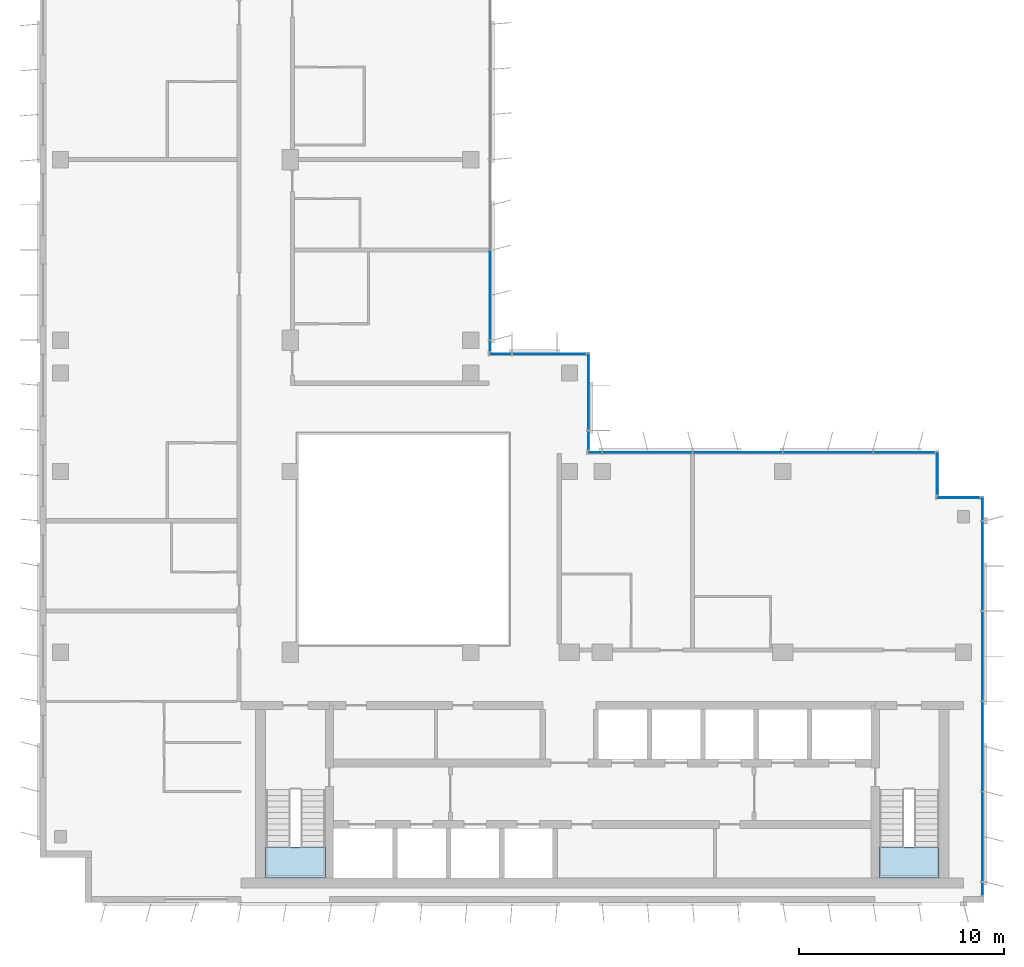
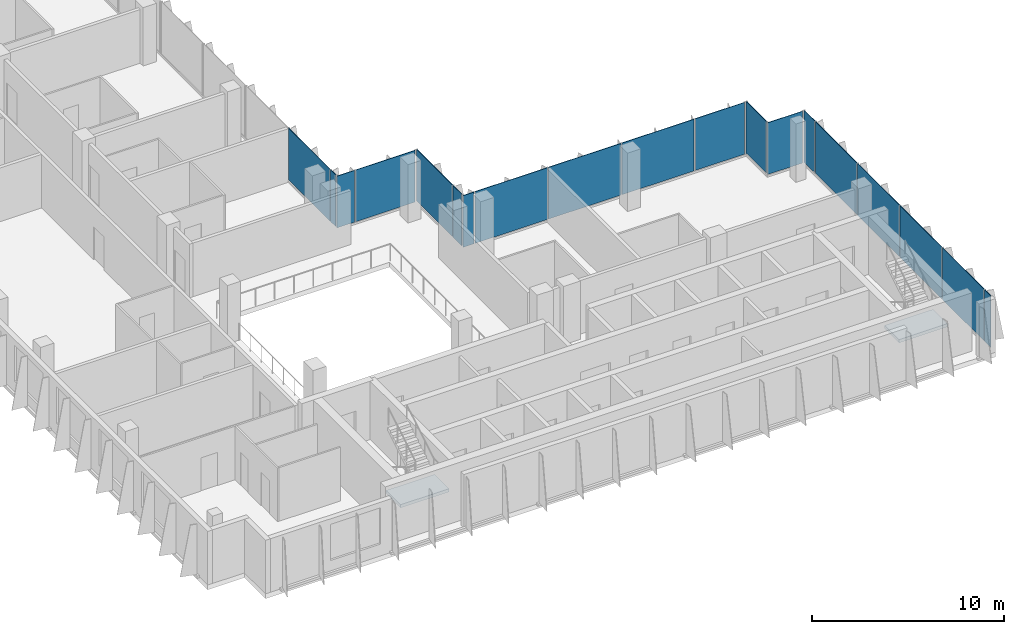
# One storey, part 7 of 15: 19 plates, 2 slabs, 9 elements without a shape of their own.
"""IFC4 building model written with IfcOpenShell, lengths in metres."""

from ifc_helpers import new_model, si_unit, direction, frame, origin, origin_2d, place, context, subcontext, project, spatial, polyline, rectangle, outline, extrude, source, transform, mapped, material, layer, layer_set, type_object, element, aggregate, save


model = new_model("IFC4")

# Units and contexts
model_context = context("Model", 3, precision=1e-05, world=origin(), true_north=direction((0.0, 1.0)))
body_context = subcontext(model_context, "Body", "Model", "MODEL_VIEW")
ifc_project = project(units=[si_unit("LENGTHUNIT", "METRE"), si_unit("AREAUNIT", "SQUARE_METRE"), si_unit("VOLUMEUNIT", "CUBIC_METRE"), si_unit("PLANEANGLEUNIT", "RADIAN"), si_unit("MASSUNIT", "GRAM", prefix="KILO")], contexts=[model_context])

# Site, building, storey
site_placement = place(None, origin())
site = spatial("IfcSite", under=ifc_project, at=site_placement, CompositionType="ELEMENT")
building_placement = place(site_placement, origin())
building = spatial("IfcBuilding", under=site, at=building_placement, Name="Kemantara Hotel Tower", CompositionType="ELEMENT")
storey_placement = place(building_placement, frame((0.0, 0.0, 233.89990234375)))
storey = spatial("IfcBuildingStorey", under=building, at=storey_placement, Name="L58", CompositionType="ELEMENT", Elevation=233.89990234375)

# Stair, slab
ifc_material_1 = material(Name="Concrete fc 40 MPa", Category="concrete")
stair_type = type_object("IfcStairType", Name="Stair 1200 wide 22 risers of 168 x 280 mm", PredefinedType="HALF_TURN_STAIR", material=ifc_material_1)
stair_1_placement = place(storey_placement, origin())
stair_1 = element("IfcStair", 1, at=stair_1_placement, inside=storey, type_object=stair_type, Name="L58 Exit stair ST1", PredefinedType="HALF_TURN_STAIR")
ifc_layer_1 = layer(ifc_material_1, 0.199951171875)
ifc_layer_set_1 = layer_set([ifc_layer_1], Name="Concrete fc 40 MPa")
slab_type = type_object("IfcSlabType", Name="Stair landing 200 mm", PredefinedType="LANDING", material=ifc_layer_set_1)
slab_1_placement = place(storey_placement, frame((0.0, 0.0, 1.650146484375)))
slab_1 = element("IfcSlab", 2, at=slab_1_placement, type_object=slab_type, Name="ST1 landing 1", PredefinedType="LANDING", context=body_context, shape_type="SweptSolid", body=[
    extrude(outline(polyline([(11.0, 2.699951171875), (11.0, 1.199951171875), (13.89990234375, 1.199951171875), (13.89990234375, 2.699951171875), (11.0, 2.699951171875)])), origin(), (0.0, 0.0, 1.0), 0.199951171875),
])
aggregate(stair_1, [slab_1])

stair_2_placement = place(storey_placement, origin())
stair_2 = element("IfcStair", 3, at=stair_2_placement, inside=storey, type_object=stair_type, Name="L58 Exit stair ST2", PredefinedType="HALF_TURN_STAIR")
slab_2_placement = place(storey_placement, frame((0.0, 0.0, 1.650146484375)))
slab_2 = element("IfcSlab", 4, at=slab_2_placement, type_object=slab_type, Name="ST2 landing 1", PredefinedType="LANDING", context=body_context, shape_type="SweptSolid", body=[
    extrude(outline(polyline([(40.89990234375, 2.699951171875), (40.89990234375, 1.199951171875), (43.800048828125, 1.199951171875), (43.800048828125, 2.699951171875), (40.89990234375, 2.699951171875)])), origin(), (0.0, 0.0, 1.0), 0.199951171875),
])
aggregate(stair_2, [slab_2])

# Curtain wall, plates
ifc_material_2 = material(Name="Low-E tinted double insulated glass 36 mm", Category="glass")
curtain_wall_type = type_object("IfcCurtainWallType", Name="TOWER CURTAIN WALL, FRONT FACES", PredefinedType="USERDEFINED", material=ifc_material_2)
curtain_wall_1_placement = place(storey_placement, origin())
curtain_wall_1 = element("IfcCurtainWall", 5, at=curtain_wall_1_placement, inside=storey, type_object=curtain_wall_type, Name="CW4 L58 T4-R09-1", ObjectType="TOWER CURTAIN WALL, FRONT FACES", PredefinedType="USERDEFINED")
ifc_layer_2 = layer(ifc_material_2, 0.035888671875)
ifc_layer_set_2 = layer_set([ifc_layer_2], Name="Low-E tinted double insulated glass 36 mm")
plate_type = type_object("IfcPlateType", Name="TOWER CURTAIN WALL, FRONT FACES PANEL", PredefinedType="CURTAIN_PANEL", material=ifc_layer_set_2)
shared_shape_1 = source(origin(), body_context, "Body", "SweptSolid", [
    extrude(rectangle(XDim=4.340087890625, YDim=0.035888671875, at=origin_2d()), origin(), (0.0, 0.0, 1.0), 3.280029296875),
])
plate_1_placement = place(storey_placement, frame((45.925048828125, 3.199951171875, 0.1201171875), z_axis=(0.0, 0.0, 1.0), x_axis=(0.0, 1.0, 0.0)))
plate_1 = element("IfcPlate", 6, at=plate_1_placement, type_object=plate_type, Name="CW4 glass panel T4-R09-1.2", PredefinedType="CURTAIN_PANEL", context=body_context, shape_type="MappedRepresentation", body=[
    mapped(shared_shape_1, transform((0.0, 0.0, 0.0))),
])
plate_2_placement = place(storey_placement, frame((45.925048828125, 7.60009765625, 0.1201171875), z_axis=(0.0, 0.0, 1.0), x_axis=(0.0, 1.0, 0.0)))
plate_2 = element("IfcPlate", 7, at=plate_2_placement, type_object=plate_type, Name="CW4 glass panel T4-R09-1.3", PredefinedType="CURTAIN_PANEL", context=body_context, shape_type="MappedRepresentation", body=[
    mapped(shared_shape_1, transform((0.0, 0.0, 0.0))),
])
plate_3_placement = place(storey_placement, frame((45.925048828125, 12.0, 0.1201171875), z_axis=(0.0, 0.0, 1.0), x_axis=(0.0, 1.0, 0.0)))
plate_3 = element("IfcPlate", 8, at=plate_3_placement, type_object=plate_type, Name="CW4 glass panel T4-R09-1.4", PredefinedType="CURTAIN_PANEL", context=body_context, shape_type="MappedRepresentation", body=[
    mapped(shared_shape_1, transform((0.0, 0.0, 0.0))),
])
plate_4_placement = place(storey_placement, frame((45.925048828125, 16.39990234375, 0.1201171875), z_axis=(0.0, 0.0, 1.0), x_axis=(0.0, 1.0, 0.0)))
plate_4 = element("IfcPlate", 9, at=plate_4_placement, type_object=plate_type, Name="CW4 glass panel T4-R09-1.5", PredefinedType="CURTAIN_PANEL", context=body_context, shape_type="MappedRepresentation", body=[
    mapped(shared_shape_1, transform((0.0, 0.0, 0.0))),
])

curtain_wall_2_placement = place(storey_placement, origin())
curtain_wall_2 = element("IfcCurtainWall", 10, at=curtain_wall_2_placement, inside=storey, type_object=curtain_wall_type, Name="CW4 L58 T4-R12-1", ObjectType="TOWER CURTAIN WALL, FRONT FACES", PredefinedType="USERDEFINED")
plate_5_placement = place(storey_placement, frame((38.39990234375, 21.925048828125, 0.1201171875), z_axis=(0.0, 0.0, 1.0), x_axis=(-1.0, 0.0, 0.0)))
plate_5 = element("IfcPlate", 11, at=plate_5_placement, type_object=plate_type, Name="CW4 glass panel T4-R12-1.2", PredefinedType="CURTAIN_PANEL", context=body_context, shape_type="MappedRepresentation", body=[
    mapped(shared_shape_1, transform((0.0, 0.0, 0.0))),
])
plate_6_placement = place(storey_placement, frame((34.0, 21.925048828125, 0.1201171875), z_axis=(0.0, 0.0, 1.0), x_axis=(-1.0, 0.0, 0.0)))
plate_6 = element("IfcPlate", 12, at=plate_6_placement, type_object=plate_type, Name="CW4 glass panel T4-R12-1.3", PredefinedType="CURTAIN_PANEL", context=body_context, shape_type="MappedRepresentation", body=[
    mapped(shared_shape_1, transform((0.0, 0.0, 0.0))),
])
plate_7_placement = place(storey_placement, frame((29.60009765625, 21.925048828125, 0.1201171875), z_axis=(0.0, 0.0, 1.0), x_axis=(-1.0, 0.0, 0.0)))
plate_7 = element("IfcPlate", 13, at=plate_7_placement, type_object=plate_type, Name="CW4 glass panel T4-R12-1.4", PredefinedType="CURTAIN_PANEL", context=body_context, shape_type="MappedRepresentation", body=[
    mapped(shared_shape_1, transform((0.0, 0.0, 0.0))),
])

# Curtain wall, plate
curtain_wall_3_placement = place(storey_placement, origin())
curtain_wall_3 = element("IfcCurtainWall", 14, at=curtain_wall_3_placement, inside=storey, type_object=curtain_wall_type, Name="CW4 L58 T4-R15-1", ObjectType="TOWER CURTAIN WALL, FRONT FACES", PredefinedType="USERDEFINED")
plate_8_placement = place(storey_placement, frame((21.925048828125, 29.60009765625, 0.1201171875), z_axis=(0.0, 0.0, 1.0), x_axis=(0.0, 1.0, 0.0)))
plate_8 = element("IfcPlate", 15, at=plate_8_placement, type_object=plate_type, Name="CW4 glass panel T4-R15-1.2", PredefinedType="CURTAIN_PANEL", context=body_context, shape_type="MappedRepresentation", body=[
    mapped(shared_shape_1, transform((0.0, 0.0, 0.0))),
])

curtain_wall_4_placement = place(storey_placement, origin())
curtain_wall_4 = element("IfcCurtainWall", 16, at=curtain_wall_4_placement, inside=storey, type_object=curtain_wall_type, Name="CW4 L58 T4-R10-1", ObjectType="TOWER CURTAIN WALL, FRONT FACES", PredefinedType="USERDEFINED")
shared_shape_2 = source(origin(), body_context, "Body", "SweptSolid", [
    extrude(rectangle(XDim=2.080078125, YDim=0.035888671875, at=origin_2d()), origin(), (0.0, 0.0, 1.0), 3.280029296875),
])
plate_9_placement = place(storey_placement, frame((44.75, 19.72509765625, 0.1201171875), z_axis=(0.0, 0.0, 1.0), x_axis=(-1.0, 0.0, 0.0)))
plate_9 = element("IfcPlate", 17, at=plate_9_placement, type_object=plate_type, Name="CW4 glass panel T4-R10-1.1", PredefinedType="CURTAIN_PANEL", context=body_context, shape_type="MappedRepresentation", body=[
    mapped(shared_shape_2, transform((0.0, 0.0, 0.0))),
])
aggregate(curtain_wall_4, [plate_9])

curtain_wall_5_placement = place(storey_placement, origin())
curtain_wall_5 = element("IfcCurtainWall", 18, at=curtain_wall_5_placement, inside=storey, type_object=curtain_wall_type, Name="CW4 L58 T4-R11-1", ObjectType="TOWER CURTAIN WALL, FRONT FACES", PredefinedType="USERDEFINED")
plate_10_placement = place(storey_placement, frame((43.72509765625, 20.89990234375, 0.1201171875), z_axis=(0.0, 0.0, 1.0), x_axis=(0.0, 1.0, 0.0)))
plate_10 = element("IfcPlate", 19, at=plate_10_placement, type_object=plate_type, Name="CW4 glass panel T4-R11-1.1", PredefinedType="CURTAIN_PANEL", context=body_context, shape_type="MappedRepresentation", body=[
    mapped(shared_shape_2, transform((0.0, 0.0, 0.0))),
])
aggregate(curtain_wall_5, [plate_10])

# Plate
shared_shape_3 = source(origin(), body_context, "Body", "SweptSolid", [
    extrude(rectangle(XDim=2.9599609375, YDim=0.035888671875, at=origin_2d()), origin(), (0.0, 0.0, 1.0), 3.280029296875),
])
plate_11_placement = place(storey_placement, frame((42.110107421875, 21.925048828125, 0.1201171875), z_axis=(0.0, 0.0, 1.0), x_axis=(-1.0, 0.0, 0.0)))
plate_11 = element("IfcPlate", 20, at=plate_11_placement, type_object=plate_type, Name="CW4 glass panel T4-R12-1.1", PredefinedType="CURTAIN_PANEL", context=body_context, shape_type="MappedRepresentation", body=[
    mapped(shared_shape_3, transform((0.0, 0.0, 0.0))),
])

shared_shape_4 = source(origin(), body_context, "Body", "SweptSolid", [
    extrude(rectangle(XDim=0.659912109375, YDim=0.035888671875, at=origin_2d()), origin(), (0.0, 0.0, 1.0), 3.280029296875),
])
plate_12_placement = place(storey_placement, frame((27.0400390625, 21.925048828125, 0.1201171875), z_axis=(0.0, 0.0, 1.0), x_axis=(-1.0, 0.0, 0.0)))
plate_12 = element("IfcPlate", 21, at=plate_12_placement, type_object=plate_type, Name="CW4 glass panel T4-R12-1.5", PredefinedType="CURTAIN_PANEL", context=body_context, shape_type="MappedRepresentation", body=[
    mapped(shared_shape_4, transform((0.0, 0.0, 0.0))),
])

aggregate(curtain_wall_2, [plate_11, plate_5, plate_6, plate_7, plate_12])

shared_shape_5 = source(origin(), body_context, "Body", "SweptSolid", [
    extrude(rectangle(XDim=0.510009765625, YDim=0.035888671875, at=origin_2d()), origin(), (0.0, 0.0, 1.0), 3.280029296875),
])
plate_13_placement = place(storey_placement, frame((21.925048828125, 27.114990234375, 0.1201171875), z_axis=(0.0, 0.0, 1.0), x_axis=(0.0, 1.0, 0.0)))
plate_13 = element("IfcPlate", 22, at=plate_13_placement, type_object=plate_type, Name="CW4 glass panel T4-R15-1.1", PredefinedType="CURTAIN_PANEL", context=body_context, shape_type="MappedRepresentation", body=[
    mapped(shared_shape_5, transform((0.0, 0.0, 0.0))),
])

aggregate(curtain_wall_3, [plate_13, plate_8])

# Curtain wall, plate
curtain_wall_6_placement = place(storey_placement, origin())
curtain_wall_6 = element("IfcCurtainWall", 23, at=curtain_wall_6_placement, inside=storey, type_object=curtain_wall_type, Name="CW4 L58 T4-R13-1", ObjectType="TOWER CURTAIN WALL, FRONT FACES", PredefinedType="USERDEFINED")
shared_shape_6 = source(origin(), body_context, "Body", "SweptSolid", [
    extrude(rectangle(XDim=0.909912109375, YDim=0.035888671875, at=origin_2d()), origin(), (0.0, 0.0, 1.0), 3.280029296875),
])
plate_14_placement = place(storey_placement, frame((26.72509765625, 22.514892578125, 0.1201171875), z_axis=(0.0, 0.0, 1.0), x_axis=(0.0, 1.0, 0.0)))
plate_14 = element("IfcPlate", 24, at=plate_14_placement, type_object=plate_type, Name="CW4 glass panel T4-R13-1.1", PredefinedType="CURTAIN_PANEL", context=body_context, shape_type="MappedRepresentation", body=[
    mapped(shared_shape_6, transform((0.0, 0.0, 0.0))),
])

# Plate
shared_shape_7 = source(origin(), body_context, "Body", "SweptSolid", [
    extrude(rectangle(XDim=1.110107421875, YDim=0.035888671875, at=origin_2d()), origin(), (0.0, 0.0, 1.0), 3.280029296875),
])
plate_15_placement = place(storey_placement, frame((45.925048828125, 19.18505859375, 0.1201171875), z_axis=(0.0, 0.0, 1.0), x_axis=(0.0, 1.0, 0.0)))
plate_15 = element("IfcPlate", 25, at=plate_15_placement, type_object=plate_type, Name="CW4 glass panel T4-R09-1.6", PredefinedType="CURTAIN_PANEL", context=body_context, shape_type="MappedRepresentation", body=[
    mapped(shared_shape_7, transform((0.0, 0.0, 0.0))),
])

shared_shape_8 = source(origin(), body_context, "Body", "SweptSolid", [
    extrude(rectangle(XDim=3.7099609375, YDim=0.035888671875, at=origin_2d()), origin(), (0.0, 0.0, 1.0), 3.280029296875),
])
plate_16_placement = place(storey_placement, frame((26.72509765625, 24.885009765625, 0.1201171875), z_axis=(0.0, 0.0, 1.0), x_axis=(0.0, 1.0, 0.0)))
plate_16 = element("IfcPlate", 26, at=plate_16_placement, type_object=plate_type, Name="CW4 glass panel T4-R13-1.2", PredefinedType="CURTAIN_PANEL", context=body_context, shape_type="MappedRepresentation", body=[
    mapped(shared_shape_8, transform((0.0, 0.0, 0.0))),
])

aggregate(curtain_wall_6, [plate_14, plate_16])

# Curtain wall, plates
curtain_wall_7_placement = place(storey_placement, origin())
curtain_wall_7 = element("IfcCurtainWall", 27, at=curtain_wall_7_placement, inside=storey, type_object=curtain_wall_type, Name="CW4 L58 T4-R14-1", ObjectType="TOWER CURTAIN WALL, FRONT FACES", PredefinedType="USERDEFINED")
shared_shape_9 = source(origin(), body_context, "Body", "SweptSolid", [
    extrude(rectangle(XDim=3.56005859375, YDim=0.035888671875, at=origin_2d()), origin(), (0.0, 0.0, 1.0), 3.280029296875),
])
plate_17_placement = place(storey_placement, frame((24.81005859375, 26.72509765625, 0.1201171875), z_axis=(0.0, 0.0, 1.0), x_axis=(-1.0, 0.0, 0.0)))
plate_17 = element("IfcPlate", 28, at=plate_17_placement, type_object=plate_type, Name="CW4 glass panel T4-R14-1.1", PredefinedType="CURTAIN_PANEL", context=body_context, shape_type="MappedRepresentation", body=[
    mapped(shared_shape_9, transform((0.0, 0.0, 0.0))),
])
shared_shape_10 = source(origin(), body_context, "Body", "SweptSolid", [
    extrude(rectangle(XDim=1.06005859375, YDim=0.035888671875, at=origin_2d()), origin(), (0.0, 0.0, 1.0), 3.280029296875),
])
plate_18_placement = place(storey_placement, frame((22.43994140625, 26.72509765625, 0.1201171875), z_axis=(0.0, 0.0, 1.0), x_axis=(-1.0, 0.0, 0.0)))
plate_18 = element("IfcPlate", 29, at=plate_18_placement, type_object=plate_type, Name="CW4 glass panel T4-R14-1.2", PredefinedType="CURTAIN_PANEL", context=body_context, shape_type="MappedRepresentation", body=[
    mapped(shared_shape_10, transform((0.0, 0.0, 0.0))),
])
aggregate(curtain_wall_7, [plate_17, plate_18])

# Plate
shared_shape_11 = source(origin(), body_context, "Body", "SweptSolid", [
    extrude(rectangle(XDim=0.610107421875, YDim=0.035888671875, at=origin_2d()), origin(), (0.0, 0.0, 1.0), 3.280029296875),
])
plate_19_placement = place(storey_placement, frame((45.925048828125, 0.6650390625, 0.1201171875), z_axis=(0.0, 0.0, 1.0), x_axis=(0.0, 1.0, 0.0)))
plate_19 = element("IfcPlate", 30, at=plate_19_placement, type_object=plate_type, Name="CW4 glass panel T4-R09-1.1", PredefinedType="CURTAIN_PANEL", context=body_context, shape_type="MappedRepresentation", body=[
    mapped(shared_shape_11, transform((0.0, 0.0, 0.0))),
])

aggregate(curtain_wall_1, [plate_19, plate_1, plate_2, plate_3, plate_4, plate_15])

save(model, "model.ifc")
